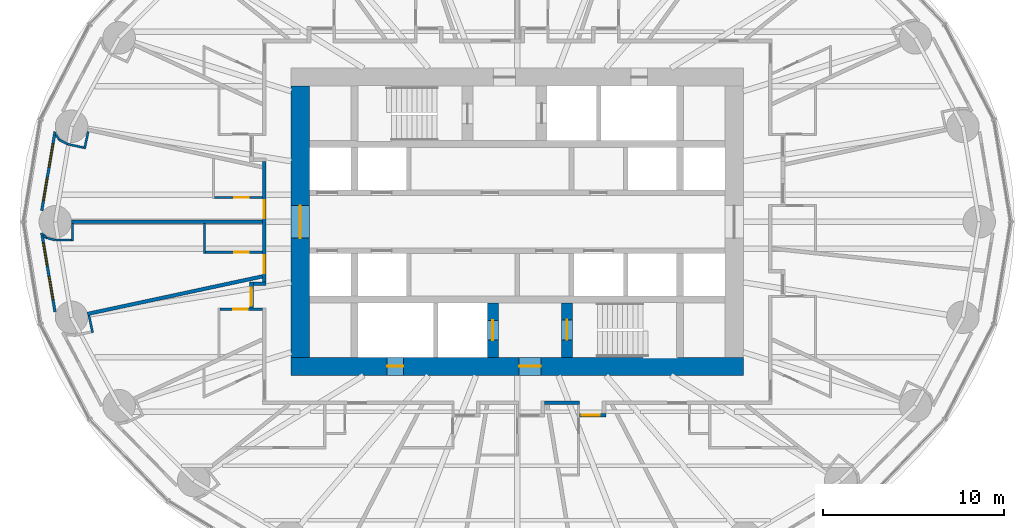
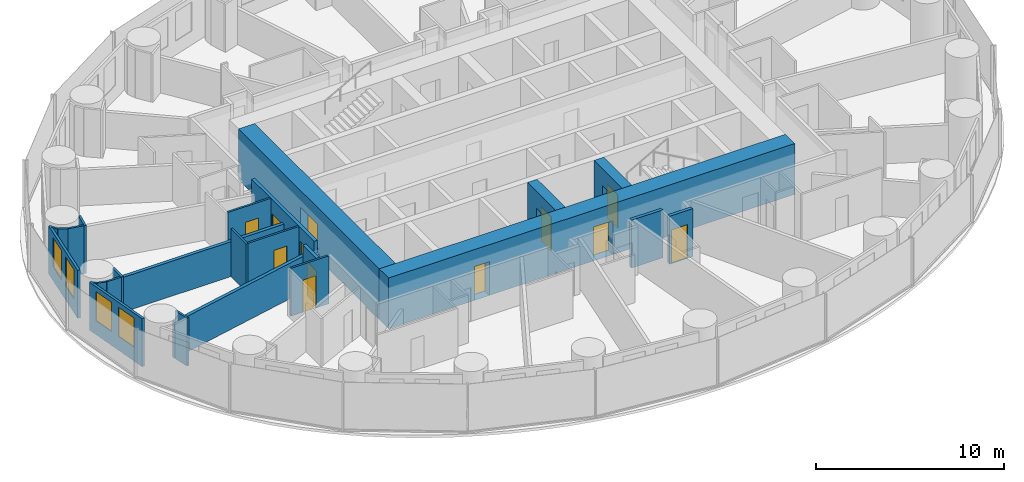
# One storey, part 7 of 14: 26 walls, 12 doors, 4 windows, 16 openings.
"""IFC4 building model written with IfcOpenShell, lengths in metres."""

from ifc_helpers import new_model, si_unit, direction, frame, frame_2d, origin, place, context, subcontext, project, spatial, rectangle, extrude, material, layer, layer_set, type_object, element, fill, save


model = new_model("IFC4")

# Units and contexts
model_context = context("Model", 3, precision=1e-05, world=origin(), true_north=direction((0.0, 1.0)))
body_context = subcontext(model_context, "Body", "Model", "MODEL_VIEW")
ifc_project = project(units=[si_unit("LENGTHUNIT", "METRE"), si_unit("AREAUNIT", "SQUARE_METRE"), si_unit("VOLUMEUNIT", "CUBIC_METRE"), si_unit("PLANEANGLEUNIT", "RADIAN"), si_unit("MASSUNIT", "GRAM", prefix="KILO")], contexts=[model_context])

# Site, building, storey
site_placement = place(None, origin())
site = spatial("IfcSite", under=ifc_project, at=site_placement, CompositionType="ELEMENT")
building_placement = place(site_placement, origin())
building = spatial("IfcBuilding", under=site, at=building_placement, Name="Hankou Lantern Tower", CompositionType="ELEMENT")
storey_placement = place(building_placement, frame((0.0, 0.0, 32.699951171875)))
storey = spatial("IfcBuildingStorey", under=building, at=storey_placement, Name="L06", CompositionType="ELEMENT", Elevation=32.699951171875)

# Wall, openings, doors
ifc_material_1 = material(Name="Concrete C60", Category="concrete")
ifc_layer_1 = layer(ifc_material_1, 1.0)
ifc_layer_set_1 = layer_set([ifc_layer_1], Name="Concrete C60")
wall_type_1 = type_object("IfcWallType", Name="CW1 CORE WALL 1000", PredefinedType="SHEAR", material=ifc_layer_set_1)
wall_1_placement = place(storey_placement, frame((12.5, -8.0, 0.0), z_axis=(0.0, 0.0, 1.0), x_axis=(-1.0, 0.0, 0.0)))
wall_1 = element("IfcWall", 1, at=wall_1_placement, inside=storey, type_object=wall_type_1, Name="Core wall south L06", PredefinedType="SHEAR", context=body_context, shape_type="SweptSolid", body=[
    extrude(rectangle(XDim=25.0, YDim=1.0, at=frame_2d((12.5, 0.0))), origin(), (0.0, 0.0, 1.0), 3.300048828125),
])
opening_1_placement = place(wall_1_placement, frame((11.199951171875, 0.0, 0.0)))
opening_1 = element("IfcOpeningElement", 2, at=opening_1_placement, cuts=wall_1, Name="Opening D5", PredefinedType="OPENING", context=body_context, shape_type="SweptSolid", body=[
    extrude(rectangle(XDim=1.199951171875, YDim=2.199951171875, at=frame_2d((0.60009765625, 1.10009765625))), frame((0.0, 0.510009765625, 0.0), z_axis=(0.0, -1.0, 0.0), x_axis=(1.0, 0.0, 0.0)), (0.0, 0.0, 1.0), 1.02001953125),
])
opening_2_placement = place(wall_1_placement, frame((18.800048828125, 0.0, 0.0)))
opening_2 = element("IfcOpeningElement", 3, at=opening_2_placement, cuts=wall_1, Name="Opening D7", PredefinedType="OPENING", context=body_context, shape_type="SweptSolid", body=[
    extrude(rectangle(XDim=0.89990234375, YDim=2.199951171875, at=frame_2d((0.449951171875, 1.10009765625))), frame((0.0, 0.510009765625, 0.0), z_axis=(0.0, -1.0, 0.0), x_axis=(1.0, 0.0, 0.0)), (0.0, 0.0, 1.0), 1.02001953125),
])
ifc_material_2 = material(Name="Steel door leaf", Category="steel")
door_type_1 = type_object("IfcDoorType", Name="D5 STAIR LOBBY DOOR 1200X2200", OperationType="SINGLE_SWING_LEFT", PredefinedType="DOOR", material=ifc_material_2)
door_1_placement = place(opening_1_placement, origin())
door_1 = element("IfcDoor", 4, at=door_1_placement, inside=storey, type_object=door_type_1, Name="Stair B lobby door", OperationType="SINGLE_SWING_LEFT", OverallHeight=2.199951171875, OverallWidth=1.199951171875, PredefinedType="DOOR", context=body_context, shape_type="SweptSolid", body=[
    extrude(rectangle(XDim=1.199951171875, YDim=2.199951171875, at=frame_2d((0.60009765625, 1.10009765625))), frame((0.0, 0.02490234375, 0.0), z_axis=(0.0, -1.0, 0.0), x_axis=(1.0, 0.0, 0.0)), (0.0, 0.0, 1.0), 0.050048828125),
])
fill(opening_1, door_1)
ifc_material_3 = material(Name="Steel door leaf", Category="steel")
door_type_2 = type_object("IfcDoorType", Name="D7 RISER DOOR 900X2200", OperationType="SINGLE_SWING_LEFT", PredefinedType="DOOR", material=ifc_material_3)
door_2_placement = place(opening_2_placement, origin())
door_2 = element("IfcDoor", 5, at=door_2_placement, inside=storey, type_object=door_type_2, Name="Riser S1 door", OperationType="SINGLE_SWING_RIGHT", OverallHeight=2.199951171875, OverallWidth=0.89990234375, PredefinedType="DOOR", context=body_context, shape_type="SweptSolid", body=[
    extrude(rectangle(XDim=0.89990234375, YDim=2.199951171875, at=frame_2d((0.449951171875, 1.10009765625))), frame((0.0, 0.02490234375, 0.0), z_axis=(0.0, -1.0, 0.0), x_axis=(1.0, 0.0, 0.0)), (0.0, 0.0, 1.0), 0.050048828125),
])
fill(opening_2, door_2)

# Wall, opening, door
wall_2_placement = place(storey_placement, frame((-12.0, 7.5, 0.0), z_axis=(0.0, 0.0, 1.0), x_axis=(0.0, -1.0, 0.0)))
wall_2 = element("IfcWall", 6, at=wall_2_placement, inside=storey, type_object=wall_type_1, Name="Core wall west L06", PredefinedType="SHEAR", context=body_context, shape_type="SweptSolid", body=[
    extrude(rectangle(XDim=15.0, YDim=1.0, at=frame_2d((7.5, 0.0))), origin(), (0.0, 0.0, 1.0), 3.300048828125),
])
opening_3_placement = place(wall_2_placement, frame((6.60009765625, 0.0, 0.0)))
opening_3 = element("IfcOpeningElement", 7, at=opening_3_placement, cuts=wall_2, Name="Opening D6", PredefinedType="OPENING", context=body_context, shape_type="SweptSolid", body=[
    extrude(rectangle(XDim=1.800048828125, YDim=2.199951171875, at=frame_2d((0.89990234375, 1.10009765625))), frame((0.0, 0.510009765625, 0.0), z_axis=(0.0, -1.0, 0.0), x_axis=(1.0, 0.0, 0.0)), (0.0, 0.0, 1.0), 1.02001953125),
])
ifc_material_4 = material(Name="Steel door leaf", Category="steel")
door_type_3 = type_object("IfcDoorType", Name="D6 LIFT LOBBY DOOR 1800X2200", OperationType="DOUBLE_DOOR_DOUBLE_SWING", PredefinedType="DOOR", material=ifc_material_4)
door_3_placement = place(opening_3_placement, origin())
door_3 = element("IfcDoor", 8, at=door_3_placement, inside=storey, type_object=door_type_3, Name="Lift lobby west door", OperationType="DOUBLE_DOOR_DOUBLE_SWING", OverallHeight=2.199951171875, OverallWidth=1.800048828125, PredefinedType="DOOR", context=body_context, shape_type="SweptSolid", body=[
    extrude(rectangle(XDim=1.800048828125, YDim=2.199951171875, at=frame_2d((0.89990234375, 1.10009765625))), frame((0.0, 0.02490234375, 0.0), z_axis=(0.0, -1.0, 0.0), x_axis=(1.0, 0.0, 0.0)), (0.0, 0.0, 1.0), 0.050048828125),
])
fill(opening_3, door_3)

ifc_material_5 = material(Name="Concrete C60", Category="concrete")
ifc_layer_2 = layer(ifc_material_5, 0.60009765625)
ifc_layer_set_2 = layer_set([ifc_layer_2], Name="Concrete C60")
wall_type_2 = type_object("IfcWallType", Name="CW6 STAIR AND SHAFT WALL 600", PredefinedType="SHEAR", material=ifc_layer_set_2)
wall_3_placement = place(storey_placement, frame((2.75, -7.5, 0.0), z_axis=(0.0, 0.0, 1.0), x_axis=(0.0, 1.0, 0.0)))
wall_3 = element("IfcWall", 9, at=wall_3_placement, inside=storey, type_object=wall_type_2, Name="Stair wall L06", PredefinedType="SHEAR", context=body_context, shape_type="SweptSolid", body=[
    extrude(rectangle(XDim=3.0, YDim=0.60009765625, at=frame_2d((1.5, 0.0))), origin(), (0.0, 0.0, 1.0), 3.300048828125),
])
opening_4_placement = place(wall_3_placement, frame((0.97509765625, 0.0, 0.0)))
opening_4 = element("IfcOpeningElement", 10, at=opening_4_placement, cuts=wall_3, Name="Opening D4", PredefinedType="OPENING", context=body_context, shape_type="SweptSolid", body=[
    extrude(rectangle(XDim=1.10009765625, YDim=2.199951171875, at=frame_2d((0.550048828125, 1.10009765625))), frame((0.0, 0.31005859375, 0.0), z_axis=(0.0, -1.0, 0.0), x_axis=(1.0, 0.0, 0.0)), (0.0, 0.0, 1.0), 0.6201171875),
])
ifc_material_6 = material(Name="Steel door leaf", Category="steel")
door_type_4 = type_object("IfcDoorType", Name="D4 STAIR DOOR 1100X2200", OperationType="SINGLE_SWING_LEFT", PredefinedType="DOOR", material=ifc_material_6)
door_4_placement = place(opening_4_placement, origin())
door_4 = element("IfcDoor", 11, at=door_4_placement, inside=storey, type_object=door_type_4, Name="Stair B door", OperationType="SINGLE_SWING_RIGHT", OverallHeight=2.199951171875, OverallWidth=1.10009765625, PredefinedType="DOOR", context=body_context, shape_type="SweptSolid", body=[
    extrude(rectangle(XDim=1.10009765625, YDim=2.199951171875, at=frame_2d((0.550048828125, 1.10009765625))), frame((0.0, 0.02490234375, 0.0), z_axis=(0.0, -1.0, 0.0), x_axis=(1.0, 0.0, 0.0)), (0.0, 0.0, 1.0), 0.050048828125),
])
fill(opening_4, door_4)

wall_4_placement = place(storey_placement, frame((-1.35009765625, -7.5, 0.0), z_axis=(0.0, 0.0, 1.0), x_axis=(0.0, 1.0, 0.0)))
wall_4 = element("IfcWall", 12, at=wall_4_placement, inside=storey, type_object=wall_type_2, Name="Firefighting lift shaft wall L06", PredefinedType="SHEAR", context=body_context, shape_type="SweptSolid", body=[
    extrude(rectangle(XDim=3.0, YDim=0.60009765625, at=frame_2d((1.5, 0.0))), origin(), (0.0, 0.0, 1.0), 3.300048828125),
])
opening_5_placement = place(wall_4_placement, frame((0.949951171875, 0.0, 0.0)))
opening_5 = element("IfcOpeningElement", 13, at=opening_5_placement, cuts=wall_4, Name="Opening LD2", PredefinedType="OPENING", context=body_context, shape_type="SweptSolid", body=[
    extrude(rectangle(XDim=1.10009765625, YDim=2.199951171875, at=frame_2d((0.550048828125, 1.10009765625))), frame((0.0, 0.31005859375, 0.0), z_axis=(0.0, -1.0, 0.0), x_axis=(1.0, 0.0, 0.0)), (0.0, 0.0, 1.0), 0.6201171875),
])
ifc_material_7 = material(Name="Steel door leaf", Category="steel")
door_type_5 = type_object("IfcDoorType", Name="LD2 FIREFIGHTING LIFT LANDING DOOR 1100X2200", OperationType="DOUBLE_DOOR_SLIDING", PredefinedType="DOOR", material=ifc_material_7)
door_5_placement = place(opening_5_placement, origin())
door_5 = element("IfcDoor", 14, at=door_5_placement, inside=storey, type_object=door_type_5, Name="Firefighting lift FL2 landing door", OperationType="DOUBLE_DOOR_SLIDING", OverallHeight=2.199951171875, OverallWidth=1.10009765625, PredefinedType="DOOR", context=body_context, shape_type="SweptSolid", body=[
    extrude(rectangle(XDim=1.10009765625, YDim=2.199951171875, at=frame_2d((0.550048828125, 1.10009765625))), frame((0.0, 0.02490234375, 0.0), z_axis=(0.0, -1.0, 0.0), x_axis=(1.0, 0.0, 0.0)), (0.0, 0.0, 1.0), 0.050048828125),
])
fill(opening_5, door_5)

# Wall, openings, windows
ifc_material_8 = material(Name="Aluminium spandrel panel on steel studs", Category="steel")
ifc_layer_3 = layer(ifc_material_8, 0.14990234375)
ifc_layer_set_3 = layer_set([ifc_layer_3], Name="Aluminium spandrel panel on steel studs")
wall_type_3 = type_object("IfcWallType", Name="EW1 INNER SKIN WALL 150", PredefinedType="ELEMENTEDWALL", material=ifc_layer_set_3)
wall_5_placement = place(storey_placement, frame((-25.56396484375, 4.9775390625, 0.0), z_axis=(0.0, 0.0, 1.0), x_axis=(-0.165641751141, -0.986185991727, 0.0)))
wall_5 = element("IfcWall", 15, at=wall_5_placement, inside=storey, type_object=wall_type_3, Name="Inner skin R12-R13 L06", PredefinedType="ELEMENTEDWALL", context=body_context, shape_type="SweptSolid", body=[
    extrude(rectangle(XDim=4.427734375, YDim=0.14990234375, at=frame_2d((2.2138671875, 0.0))), origin(), (0.0, 0.0, 1.0), 3.1201171875),
])
opening_6_placement = place(wall_5_placement, frame((0.677734375, 0.0, 0.89990234375)))
opening_6 = element("IfcOpeningElement", 16, at=opening_6_placement, cuts=wall_5, Name="Opening W9", PredefinedType="OPENING", context=body_context, shape_type="SweptSolid", body=[
    extrude(rectangle(XDim=1.300048828125, YDim=1.89990234375, at=frame_2d((0.64990234375, 0.949951171875))), frame((0.0, 0.0849609375, 0.0), z_axis=(0.0, -1.0, 0.0), x_axis=(1.0, 0.0, 0.0)), (0.0, 0.0, 1.0), 0.169921875),
])
opening_7_placement = place(wall_5_placement, frame((2.57763671875, 0.0, 0.89990234375)))
opening_7 = element("IfcOpeningElement", 17, at=opening_7_placement, cuts=wall_5, Name="Opening W9", PredefinedType="OPENING", context=body_context, shape_type="SweptSolid", body=[
    extrude(rectangle(XDim=1.300048828125, YDim=1.89990234375, at=frame_2d((0.64990234375, 0.949951171875))), frame((0.0, 0.0849609375, 0.0), z_axis=(0.0, -1.0, 0.0), x_axis=(1.0, 0.0, 0.0)), (0.0, 0.0, 1.0), 0.169921875),
])
ifc_material_9 = material(Name="Aluminium framed double glazed window", Category="aluminium")
window_type = type_object("IfcWindowType", Name="W9 GUEST ROOM WINDOW 1300X1900", PartitioningType="DOUBLE_PANEL_VERTICAL", PredefinedType="WINDOW", material=ifc_material_9)
window_1_placement = place(opening_6_placement, origin())
window_1 = element("IfcWindow", 18, at=window_1_placement, inside=storey, type_object=window_type, Name="Window R12.1 L06", OverallHeight=1.89990234375, OverallWidth=1.300048828125, PartitioningType="SINGLE_PANEL", PredefinedType="WINDOW", context=body_context, shape_type="SweptSolid", body=[
    extrude(rectangle(XDim=1.300048828125, YDim=1.89990234375, at=frame_2d((0.64990234375, 0.949951171875))), frame((0.0, 0.030029296875, 0.0), z_axis=(0.0, -1.0, 0.0), x_axis=(1.0, 0.0, 0.0)), (0.0, 0.0, 1.0), 0.06005859375),
])
fill(opening_6, window_1)
window_2_placement = place(opening_7_placement, origin())
window_2 = element("IfcWindow", 19, at=window_2_placement, inside=storey, type_object=window_type, Name="Window R12.2 L06", OverallHeight=1.89990234375, OverallWidth=1.300048828125, PartitioningType="SINGLE_PANEL", PredefinedType="WINDOW", context=body_context, shape_type="SweptSolid", body=[
    extrude(rectangle(XDim=1.300048828125, YDim=1.89990234375, at=frame_2d((0.64990234375, 0.949951171875))), frame((0.0, 0.030029296875, 0.0), z_axis=(0.0, -1.0, 0.0), x_axis=(1.0, 0.0, 0.0)), (0.0, 0.0, 1.0), 0.06005859375),
])
fill(opening_7, window_2)

wall_6_placement = place(storey_placement, frame((-26.29736328125, -0.611083984375, 0.0), z_axis=(0.0, 0.0, 1.0), x_axis=(0.165641751141, -0.986185991727, 0.0)))
wall_6 = element("IfcWall", 20, at=wall_6_placement, inside=storey, type_object=wall_type_3, Name="Inner skin R13-R14 L06", PredefinedType="ELEMENTEDWALL", context=body_context, shape_type="SweptSolid", body=[
    extrude(rectangle(XDim=4.427734375, YDim=0.14990234375, at=frame_2d((2.2138671875, 0.0))), origin(), (0.0, 0.0, 1.0), 3.1201171875),
])
opening_8_placement = place(wall_6_placement, frame((0.5498046875, 0.0, 0.89990234375)))
opening_8 = element("IfcOpeningElement", 21, at=opening_8_placement, cuts=wall_6, Name="Opening W9", PredefinedType="OPENING", context=body_context, shape_type="SweptSolid", body=[
    extrude(rectangle(XDim=1.300048828125, YDim=1.89990234375, at=frame_2d((0.64990234375, 0.949951171875))), frame((0.0, 0.0849609375, 0.0), z_axis=(0.0, -1.0, 0.0), x_axis=(1.0, 0.0, 0.0)), (0.0, 0.0, 1.0), 0.169921875),
])
opening_9_placement = place(wall_6_placement, frame((2.44970703125, 0.0, 0.89990234375)))
opening_9 = element("IfcOpeningElement", 22, at=opening_9_placement, cuts=wall_6, Name="Opening W9", PredefinedType="OPENING", context=body_context, shape_type="SweptSolid", body=[
    extrude(rectangle(XDim=1.300048828125, YDim=1.89990234375, at=frame_2d((0.64990234375, 0.949951171875))), frame((0.0, 0.0849609375, 0.0), z_axis=(0.0, -1.0, 0.0), x_axis=(1.0, 0.0, 0.0)), (0.0, 0.0, 1.0), 0.169921875),
])
window_3_placement = place(opening_8_placement, origin())
window_3 = element("IfcWindow", 23, at=window_3_placement, inside=storey, type_object=window_type, Name="Window R13.1 L06", OverallHeight=1.89990234375, OverallWidth=1.300048828125, PartitioningType="SINGLE_PANEL", PredefinedType="WINDOW", context=body_context, shape_type="SweptSolid", body=[
    extrude(rectangle(XDim=1.300048828125, YDim=1.89990234375, at=frame_2d((0.64990234375, 0.949951171875))), frame((0.0, 0.030029296875, 0.0), z_axis=(0.0, -1.0, 0.0), x_axis=(1.0, 0.0, 0.0)), (0.0, 0.0, 1.0), 0.06005859375),
])
fill(opening_8, window_3)
window_4_placement = place(opening_9_placement, origin())
window_4 = element("IfcWindow", 24, at=window_4_placement, inside=storey, type_object=window_type, Name="Window R13.2 L06", OverallHeight=1.89990234375, OverallWidth=1.300048828125, PartitioningType="SINGLE_PANEL", PredefinedType="WINDOW", context=body_context, shape_type="SweptSolid", body=[
    extrude(rectangle(XDim=1.300048828125, YDim=1.89990234375, at=frame_2d((0.64990234375, 0.949951171875))), frame((0.0, 0.030029296875, 0.0), z_axis=(0.0, -1.0, 0.0), x_axis=(1.0, 0.0, 0.0)), (0.0, 0.0, 1.0), 0.06005859375),
])
fill(opening_9, window_4)

# Walls
ifc_material_10 = material(Name="Masonry lightweight concrete block", Category="masonry")
ifc_layer_4 = layer(ifc_material_10, 0.199951171875)
ifc_layer_set_4 = layer_set([ifc_layer_4], Name="Masonry lightweight concrete block")
wall_type_4 = type_object("IfcWallType", Name="IW1 GUEST ROOM PARTY WALL 200", PredefinedType="PARTITIONING", material=ifc_layer_set_4)
wall_7_placement = place(storey_placement, frame((-14.10009765625, 0.0, 0.0), z_axis=(0.0, 0.0, 1.0), x_axis=(-1.0, 0.0, 0.0)))
element("IfcWall", 25, at=wall_7_placement, inside=storey, type_object=wall_type_4, Name="Party wall R13", PredefinedType="PARTITIONING", context=body_context, shape_type="SweptSolid", body=[
    extrude(rectangle(XDim=10.5498046875, YDim=0.199951171875, at=frame_2d((5.27490234375, 0.0))), origin(), (0.0, 0.0, 1.0), 2.27001953125),
])
wall_8_placement = place(storey_placement, frame((-14.10009765625, -3.0224609375, 0.0), z_axis=(0.0, 0.0, 1.0), x_axis=(-0.977786510688, -0.209603290805, 0.0)))
element("IfcWall", 26, at=wall_8_placement, inside=storey, type_object=wall_type_4, Name="Party wall R14", PredefinedType="PARTITIONING", context=body_context, shape_type="SweptSolid", body=[
    extrude(rectangle(XDim=9.88671875, YDim=0.199951171875, at=frame_2d((4.943359375, 0.0))), origin(), (0.0, 0.0, 1.0), 2.320068359375),
])

# Wall, opening, door
ifc_material_11 = material(Name="Masonry lightweight concrete block", Category="masonry")
ifc_layer_5 = layer(ifc_material_11, 0.199951171875)
ifc_layer_set_5 = layer_set([ifc_layer_5], Name="Masonry lightweight concrete block")
wall_type_5 = type_object("IfcWallType", Name="IW2 CORRIDOR WALL 200", PredefinedType="PARTITIONING", material=ifc_layer_set_5)
wall_9_placement = place(storey_placement, frame((-14.699951171875, -3.33251953125, 0.0), z_axis=(0.0, 0.0, 1.0), x_axis=(0.0, -1.0, 0.0)))
wall_9 = element("IfcWall", 27, at=wall_9_placement, inside=storey, type_object=wall_type_5, Name="Corridor recess wall 0616 back", PredefinedType="PARTITIONING", context=body_context, shape_type="SweptSolid", body=[
    extrude(rectangle(XDim=1.43994140625, YDim=0.199951171875, at=frame_2d((0.719970703125, 0.0))), origin(), (0.0, 0.0, 1.0), 3.1201171875),
])
opening_10_placement = place(wall_9_placement, frame((0.320068359375, 0.0, 0.0)))
opening_10 = element("IfcOpeningElement", 28, at=opening_10_placement, cuts=wall_9, Name="Opening D1", PredefinedType="OPENING", context=body_context, shape_type="SweptSolid", body=[
    extrude(rectangle(XDim=1.0, YDim=2.199951171875, at=frame_2d((0.5, 1.10009765625))), frame((0.0, 0.10986328125, 0.0), z_axis=(0.0, -1.0, 0.0), x_axis=(1.0, 0.0, 0.0)), (0.0, 0.0, 1.0), 0.219970703125),
])
ifc_material_12 = material(Name="Steel door leaf", Category="steel")
door_type_6 = type_object("IfcDoorType", Name="D1 GUEST ROOM DOOR 1000X2200", OperationType="SINGLE_SWING_LEFT", PredefinedType="DOOR", material=ifc_material_12)
door_6_placement = place(opening_10_placement, origin())
door_6 = element("IfcDoor", 29, at=door_6_placement, inside=storey, type_object=door_type_6, Name="Guest room door 0616", OperationType="SINGLE_SWING_RIGHT", OverallHeight=2.199951171875, OverallWidth=1.0, PredefinedType="DOOR", context=body_context, shape_type="SweptSolid", body=[
    extrude(rectangle(XDim=1.0, YDim=2.199951171875, at=frame_2d((0.5, 1.10009765625))), frame((0.0, 0.02490234375, 0.0), z_axis=(0.0, -1.0, 0.0), x_axis=(1.0, 0.0, 0.0)), (0.0, 0.0, 1.0), 0.050048828125),
])
fill(opening_10, door_6)

# Wall
wall_10_placement = place(storey_placement, frame((-13.89990234375, -3.4326171875, 0.0), z_axis=(0.0, 0.0, 1.0), x_axis=(-1.0, 0.0, 0.0)))
element("IfcWall", 30, at=wall_10_placement, inside=storey, type_object=wall_type_5, Name="Corridor recess wall 0616 side", PredefinedType="PARTITIONING", context=body_context, shape_type="SweptSolid", body=[
    extrude(rectangle(XDim=0.7001953125, YDim=0.199951171875, at=frame_2d((0.35009765625, 0.0))), origin(), (0.0, 0.0, 1.0), 2.320068359375),
])

# Wall, opening, door
wall_11_placement = place(storey_placement, frame((4.89501953125, -10.699951171875, 0.0), z_axis=(0.0, 0.0, 1.0), x_axis=(-1.0, 0.0, 0.0)))
wall_11 = element("IfcWall", 31, at=wall_11_placement, inside=storey, type_object=wall_type_5, Name="Corridor recess wall 0621 back", PredefinedType="PARTITIONING", context=body_context, shape_type="SweptSolid", body=[
    extrude(rectangle(XDim=1.43994140625, YDim=0.199951171875, at=frame_2d((0.719970703125, 0.0))), origin(), (0.0, 0.0, 1.0), 3.1201171875),
])
opening_11_placement = place(wall_11_placement, frame((0.320068359375, 0.0, 0.0)))
opening_11 = element("IfcOpeningElement", 32, at=opening_11_placement, cuts=wall_11, Name="Opening D1", PredefinedType="OPENING", context=body_context, shape_type="SweptSolid", body=[
    extrude(rectangle(XDim=1.0, YDim=2.199951171875, at=frame_2d((0.5, 1.10009765625))), frame((0.0, 0.10986328125, 0.0), z_axis=(0.0, -1.0, 0.0), x_axis=(1.0, 0.0, 0.0)), (0.0, 0.0, 1.0), 0.219970703125),
])
door_7_placement = place(opening_11_placement, origin())
door_7 = element("IfcDoor", 33, at=door_7_placement, inside=storey, type_object=door_type_6, Name="Guest room door 0621", OperationType="SINGLE_SWING_RIGHT", OverallHeight=2.199951171875, OverallWidth=1.0, PredefinedType="DOOR", context=body_context, shape_type="SweptSolid", body=[
    extrude(rectangle(XDim=1.0, YDim=2.199951171875, at=frame_2d((0.5, 1.10009765625))), frame((0.0, 0.02490234375, 0.0), z_axis=(0.0, -1.0, 0.0), x_axis=(1.0, 0.0, 0.0)), (0.0, 0.0, 1.0), 0.050048828125),
])
fill(opening_11, door_7)

# Wall, openings, doors
wall_12_placement = place(storey_placement, frame((-14.0, 3.33251953125, 0.0), z_axis=(0.0, 0.0, 1.0), x_axis=(0.0, -1.0, 0.0)))
wall_12 = element("IfcWall", 34, at=wall_12_placement, inside=storey, type_object=wall_type_5, Name="Corridor wall west", PredefinedType="PARTITIONING", context=body_context, shape_type="SweptSolid", body=[
    extrude(rectangle(XDim=6.6650390625, YDim=0.199951171875, at=frame_2d((3.33251953125, 0.0))), origin(), (0.0, 0.0, 1.0), 3.1201171875),
])
opening_12_placement = place(wall_12_placement, frame((2.14990234375, 0.0, 0.0)))
opening_12 = element("IfcOpeningElement", 35, at=opening_12_placement, cuts=wall_12, Name="Opening D1", PredefinedType="OPENING", context=body_context, shape_type="SweptSolid", body=[
    extrude(rectangle(XDim=1.0, YDim=2.199951171875, at=frame_2d((0.5, 1.10009765625))), frame((0.0, 0.10986328125, 0.0), z_axis=(0.0, -1.0, 0.0), x_axis=(1.0, 0.0, 0.0)), (0.0, 0.0, 1.0), 0.219970703125),
])
opening_13_placement = place(wall_12_placement, frame((5.172607421875, 0.0, 0.0)))
opening_13 = element("IfcOpeningElement", 36, at=opening_13_placement, cuts=wall_12, Name="Opening D1", PredefinedType="OPENING", context=body_context, shape_type="SweptSolid", body=[
    extrude(rectangle(XDim=1.0, YDim=2.199951171875, at=frame_2d((0.5, 1.10009765625))), frame((0.0, 0.10986328125, 0.0), z_axis=(0.0, -1.0, 0.0), x_axis=(1.0, 0.0, 0.0)), (0.0, 0.0, 1.0), 0.219970703125),
])
door_8_placement = place(opening_12_placement, origin())
door_8 = element("IfcDoor", 37, at=door_8_placement, inside=storey, type_object=door_type_6, Name="Guest room door 0614", OperationType="SINGLE_SWING_LEFT", OverallHeight=2.199951171875, OverallWidth=1.0, PredefinedType="DOOR", context=body_context, shape_type="SweptSolid", body=[
    extrude(rectangle(XDim=1.0, YDim=2.199951171875, at=frame_2d((0.5, 1.10009765625))), frame((0.0, 0.02490234375, 0.0), z_axis=(0.0, -1.0, 0.0), x_axis=(1.0, 0.0, 0.0)), (0.0, 0.0, 1.0), 0.050048828125),
])
fill(opening_12, door_8)
door_9_placement = place(opening_13_placement, origin())
door_9 = element("IfcDoor", 38, at=door_9_placement, inside=storey, type_object=door_type_6, Name="Guest room door 0615", OperationType="SINGLE_SWING_RIGHT", OverallHeight=2.199951171875, OverallWidth=1.0, PredefinedType="DOOR", context=body_context, shape_type="SweptSolid", body=[
    extrude(rectangle(XDim=1.0, YDim=2.199951171875, at=frame_2d((0.5, 1.10009765625))), frame((0.0, 0.02490234375, 0.0), z_axis=(0.0, -1.0, 0.0), x_axis=(1.0, 0.0, 0.0)), (0.0, 0.0, 1.0), 0.050048828125),
])
fill(opening_13, door_9)

# Wall
wall_13_placement = place(storey_placement, frame((3.455078125, -10.0, 0.0), z_axis=(0.0, 0.0, 1.0), x_axis=(-1.0, 0.0, 0.0)))
element("IfcWall", 39, at=wall_13_placement, inside=storey, type_object=wall_type_5, Name="Corridor wall south", PredefinedType="PARTITIONING", context=body_context, shape_type="SweptSolid", body=[
    extrude(rectangle(XDim=1.93994140625, YDim=0.199951171875, at=frame_2d((0.969970703125, 0.0))), origin(), (0.0, 0.0, 1.0), 3.1201171875),
])

# Wall, opening, door
ifc_material_13 = material(Name="Masonry lightweight concrete block", Category="masonry")
ifc_layer_6 = layer(ifc_material_13, 0.1201171875)
ifc_layer_set_6 = layer_set([ifc_layer_6], Name="Masonry lightweight concrete block")
wall_type_6 = type_object("IfcWallType", Name="IW3 BATHROOM WALL 120", PredefinedType="PARTITIONING", material=ifc_layer_set_6)
wall_14_placement = place(storey_placement, frame((-14.10009765625, 1.342529296875, 0.0), z_axis=(0.0, 0.0, 1.0), x_axis=(-1.0, 0.0, 0.0)))
wall_14 = element("IfcWall", 40, at=wall_14_placement, inside=storey, type_object=wall_type_6, Name="Box wall 0614 1", PredefinedType="PARTITIONING", context=body_context, shape_type="SweptSolid", body=[
    extrude(rectangle(XDim=2.639892578125, YDim=0.1201171875, at=frame_2d((1.31982421875, 0.0))), origin(), (0.0, 0.0, 1.0), 3.1201171875),
])
opening_14_placement = place(wall_14_placement, frame((0.75, 0.0, 0.0)))
opening_14 = element("IfcOpeningElement", 41, at=opening_14_placement, cuts=wall_14, Name="Opening D3", PredefinedType="OPENING", context=body_context, shape_type="SweptSolid", body=[
    extrude(rectangle(XDim=0.800048828125, YDim=2.10009765625, at=frame_2d((0.39990234375, 1.050048828125))), frame((0.0, 0.070068359375, 0.0), z_axis=(0.0, -1.0, 0.0), x_axis=(1.0, 0.0, 0.0)), (0.0, 0.0, 1.0), 0.14013671875),
])
ifc_material_14 = material(Name="Timber door leaf", Category="wood")
door_type_7 = type_object("IfcDoorType", Name="D3 BATHROOM DOOR 800X2100", OperationType="SINGLE_SWING_LEFT", PredefinedType="DOOR", material=ifc_material_14)
door_10_placement = place(opening_14_placement, origin())
door_10 = element("IfcDoor", 42, at=door_10_placement, inside=storey, type_object=door_type_7, Name="En-suite bathroom 0614 door", OperationType="SINGLE_SWING_LEFT", OverallHeight=2.10009765625, OverallWidth=0.800048828125, PredefinedType="DOOR", context=body_context, shape_type="SweptSolid", body=[
    extrude(rectangle(XDim=0.800048828125, YDim=2.10009765625, at=frame_2d((0.39990234375, 1.050048828125))), frame((0.0, 0.02490234375, 0.0), z_axis=(0.0, -1.0, 0.0), x_axis=(1.0, 0.0, 0.0)), (0.0, 0.0, 1.0), 0.050048828125),
])
fill(opening_14, door_10)

# Wall
wall_15_placement = place(storey_placement, frame((-17.300048828125, -0.10009765625, 0.0), z_axis=(0.0, 0.0, 1.0), x_axis=(0.0, -1.0, 0.0)))
element("IfcWall", 43, at=wall_15_placement, inside=storey, type_object=wall_type_6, Name="Box wall 0615 1", PredefinedType="PARTITIONING", context=body_context, shape_type="SweptSolid", body=[
    extrude(rectangle(XDim=1.639892578125, YDim=0.1201171875, at=frame_2d((0.81982421875, 0.0))), origin(), (0.0, 0.0, 1.0), 3.1201171875),
])

# Wall, opening, door
wall_16_placement = place(storey_placement, frame((-14.10009765625, -1.679931640625, 0.0), z_axis=(0.0, 0.0, 1.0), x_axis=(-1.0, 0.0, 0.0)))
wall_16 = element("IfcWall", 44, at=wall_16_placement, inside=storey, type_object=wall_type_6, Name="Box wall 0615 1", PredefinedType="PARTITIONING", context=body_context, shape_type="SweptSolid", body=[
    extrude(rectangle(XDim=3.139892578125, YDim=0.1201171875, at=frame_2d((1.56982421875, 0.0))), origin(), (0.0, 0.0, 1.0), 3.1201171875),
])
opening_15_placement = place(wall_16_placement, frame((0.75, 0.0, 0.0)))
opening_15 = element("IfcOpeningElement", 45, at=opening_15_placement, cuts=wall_16, Name="Opening D3", PredefinedType="OPENING", context=body_context, shape_type="SweptSolid", body=[
    extrude(rectangle(XDim=0.800048828125, YDim=2.10009765625, at=frame_2d((0.39990234375, 1.050048828125))), frame((0.0, 0.070068359375, 0.0), z_axis=(0.0, -1.0, 0.0), x_axis=(1.0, 0.0, 0.0)), (0.0, 0.0, 1.0), 0.14013671875),
])
door_11_placement = place(opening_15_placement, origin())
door_11 = element("IfcDoor", 46, at=door_11_placement, inside=storey, type_object=door_type_7, Name="En-suite bathroom 0615 door", OperationType="SINGLE_SWING_LEFT", OverallHeight=2.10009765625, OverallWidth=0.800048828125, PredefinedType="DOOR", context=body_context, shape_type="SweptSolid", body=[
    extrude(rectangle(XDim=0.800048828125, YDim=2.10009765625, at=frame_2d((0.39990234375, 1.050048828125))), frame((0.0, 0.02490234375, 0.0), z_axis=(0.0, -1.0, 0.0), x_axis=(1.0, 0.0, 0.0)), (0.0, 0.0, 1.0), 0.050048828125),
])
fill(opening_15, door_11)

wall_17_placement = place(storey_placement, frame((-14.10009765625, -4.83251953125, 0.0), z_axis=(0.0, 0.0, 1.0), x_axis=(-1.0, 0.0, 0.0)))
wall_17 = element("IfcWall", 47, at=wall_17_placement, inside=storey, type_object=wall_type_6, Name="Box wall 0616 1", PredefinedType="PARTITIONING", context=body_context, shape_type="SweptSolid", body=[
    extrude(rectangle(XDim=2.33984375, YDim=0.1201171875, at=frame_2d((1.169921875, 0.0))), origin(), (0.0, 0.0, 1.0), 3.1201171875),
])
opening_16_placement = place(wall_17_placement, frame((0.800048828125, 0.0, 0.0)))
opening_16 = element("IfcOpeningElement", 48, at=opening_16_placement, cuts=wall_17, Name="Opening D3", PredefinedType="OPENING", context=body_context, shape_type="SweptSolid", body=[
    extrude(rectangle(XDim=0.800048828125, YDim=2.10009765625, at=frame_2d((0.39990234375, 1.050048828125))), frame((0.0, 0.070068359375, 0.0), z_axis=(0.0, -1.0, 0.0), x_axis=(1.0, 0.0, 0.0)), (0.0, 0.0, 1.0), 0.14013671875),
])
door_12_placement = place(opening_16_placement, origin())
door_12 = element("IfcDoor", 49, at=door_12_placement, inside=storey, type_object=door_type_7, Name="En-suite bathroom 0616 door", OperationType="SINGLE_SWING_RIGHT", OverallHeight=2.10009765625, OverallWidth=0.800048828125, PredefinedType="DOOR", context=body_context, shape_type="SweptSolid", body=[
    extrude(rectangle(XDim=0.800048828125, YDim=2.10009765625, at=frame_2d((0.39990234375, 1.050048828125))), frame((0.0, 0.02490234375, 0.0), z_axis=(0.0, -1.0, 0.0), x_axis=(1.0, 0.0, 0.0)), (0.0, 0.0, 1.0), 0.050048828125),
])
fill(opening_16, door_12)

# Walls
ifc_material_15 = material(Name="Masonry lightweight concrete block", Category="masonry")
ifc_layer_7 = layer(ifc_material_15, 0.1201171875)
ifc_layer_set_7 = layer_set([ifc_layer_7], Name="Masonry lightweight concrete block")
wall_type_7 = type_object("IfcWallType", Name="IW4 PARTITION 120", PredefinedType="PARTITIONING", material=ifc_layer_set_7)
wall_18_placement = place(storey_placement, frame((-23.729248046875, 4.984375, 0.0), z_axis=(0.0, 0.0, 1.0), x_axis=(-0.20968306268, -0.977769406979, 0.0)))
element("IfcWall", 50, at=wall_18_placement, inside=storey, type_object=wall_type_7, Name="Column casing R12 return", PredefinedType="PARTITIONING", context=body_context, shape_type="SweptSolid", body=[
    extrude(rectangle(XDim=0.974609375, YDim=0.1201171875, at=frame_2d((0.4873046875, 0.0))), origin(), (0.0, 0.0, 1.0), 3.1201171875),
])
wall_19_placement = place(storey_placement, frame((-23.979736328125, 4.1025390625, 0.0), z_axis=(0.0, 0.0, 1.0), x_axis=(-0.977762694187, 0.209714362543, 0.0)))
element("IfcWall", 51, at=wall_19_placement, inside=storey, type_object=wall_type_7, Name="Column casing R12", PredefinedType="PARTITIONING", context=body_context, shape_type="SweptSolid", body=[
    extrude(rectangle(XDim=0.89990234375, YDim=0.1201171875, at=frame_2d((0.449951171875, 0.0))), origin(), (0.0, 0.0, 1.0), 3.1201171875),
])
wall_20_placement = place(storey_placement, frame((-24.859619140625, 4.291259765625, 0.0), z_axis=(0.0, 0.0, 1.0), x_axis=(-0.890204323062, 0.455561481254, 0.0)))
element("IfcWall", 52, at=wall_20_placement, inside=storey, type_object=wall_type_7, Name="Column casing R12", PredefinedType="PARTITIONING", context=body_context, shape_type="SweptSolid", body=[
    extrude(rectangle(XDim=0.525146484375, YDim=0.1201171875, at=frame_2d((0.2626953125, 0.0))), origin(), (0.0, 0.0, 1.0), 3.1201171875),
])
wall_21_placement = place(storey_placement, frame((-25.3271484375, 4.530517578125, 0.0), z_axis=(0.0, 0.0, 1.0), x_axis=(-0.543516034791, 0.839398784801, 0.0)))
element("IfcWall", 53, at=wall_21_placement, inside=storey, type_object=wall_type_7, Name="Column casing R12", PredefinedType="PARTITIONING", context=body_context, shape_type="SweptSolid", body=[
    extrude(rectangle(XDim=0.343994140625, YDim=0.1201171875, at=frame_2d((0.171875, 0.0))), origin(), (0.0, 0.0, 1.0), 3.1201171875),
])
wall_22_placement = place(storey_placement, frame((-24.590087890625, -0.10009765625, 0.0), z_axis=(0.0, 0.0, 1.0), x_axis=(0.0, -1.0, 0.0)))
element("IfcWall", 54, at=wall_22_placement, inside=storey, type_object=wall_type_7, Name="Column casing R13 return", PredefinedType="PARTITIONING", context=body_context, shape_type="SweptSolid", body=[
    extrude(rectangle(XDim=0.974365234375, YDim=0.1201171875, at=frame_2d((0.4873046875, 0.0))), origin(), (0.0, 0.0, 1.0), 3.1201171875),
])
wall_23_placement = place(storey_placement, frame((-24.64990234375, -1.0146484375, 0.0), z_axis=(0.0, 0.0, 1.0), x_axis=(-1.0, 0.0, 0.0)))
element("IfcWall", 55, at=wall_23_placement, inside=storey, type_object=wall_type_7, Name="Column casing R13", PredefinedType="PARTITIONING", context=body_context, shape_type="SweptSolid", body=[
    extrude(rectangle(XDim=0.900146484375, YDim=0.1201171875, at=frame_2d((0.4501953125, 0.0))), origin(), (0.0, 0.0, 1.0), 3.1201171875),
])
wall_24_placement = place(storey_placement, frame((-25.550048828125, -1.0146484375, 0.0), z_axis=(0.0, 0.0, 1.0), x_axis=(-0.96590239779, 0.258906465625, 0.0)))
element("IfcWall", 56, at=wall_24_placement, inside=storey, type_object=wall_type_7, Name="Column casing R13", PredefinedType="PARTITIONING", context=body_context, shape_type="SweptSolid", body=[
    extrude(rectangle(XDim=0.525146484375, YDim=0.1201171875, at=frame_2d((0.2626953125, 0.0))), origin(), (0.0, 0.0, 1.0), 3.1201171875),
])
wall_25_placement = place(storey_placement, frame((-26.057373046875, -0.878662109375, 0.0), z_axis=(0.0, 0.0, 1.0), x_axis=(-0.707106781187, 0.707106781187, 0.0)))
element("IfcWall", 57, at=wall_25_placement, inside=storey, type_object=wall_type_7, Name="Column casing R13", PredefinedType="PARTITIONING", context=body_context, shape_type="SweptSolid", body=[
    extrude(rectangle(XDim=0.20361328125, YDim=0.1201171875, at=frame_2d((0.101806640625, 0.0))), origin(), (0.0, 0.0, 1.0), 3.1201171875),
])
wall_26_placement = place(storey_placement, frame((-23.687255859375, -5.179931640625, 0.0), z_axis=(0.0, 0.0, 1.0), x_axis=(0.209443540911, -0.977820741839, 0.0)))
element("IfcWall", 58, at=wall_26_placement, inside=storey, type_object=wall_type_7, Name="Column casing R14 return", PredefinedType="PARTITIONING", context=body_context, shape_type="SweptSolid", body=[
    extrude(rectangle(XDim=0.974609375, YDim=0.1201171875, at=frame_2d((0.4873046875, 0.0))), origin(), (0.0, 0.0, 1.0), 3.1201171875),
])

save(model, "model.ifc")
